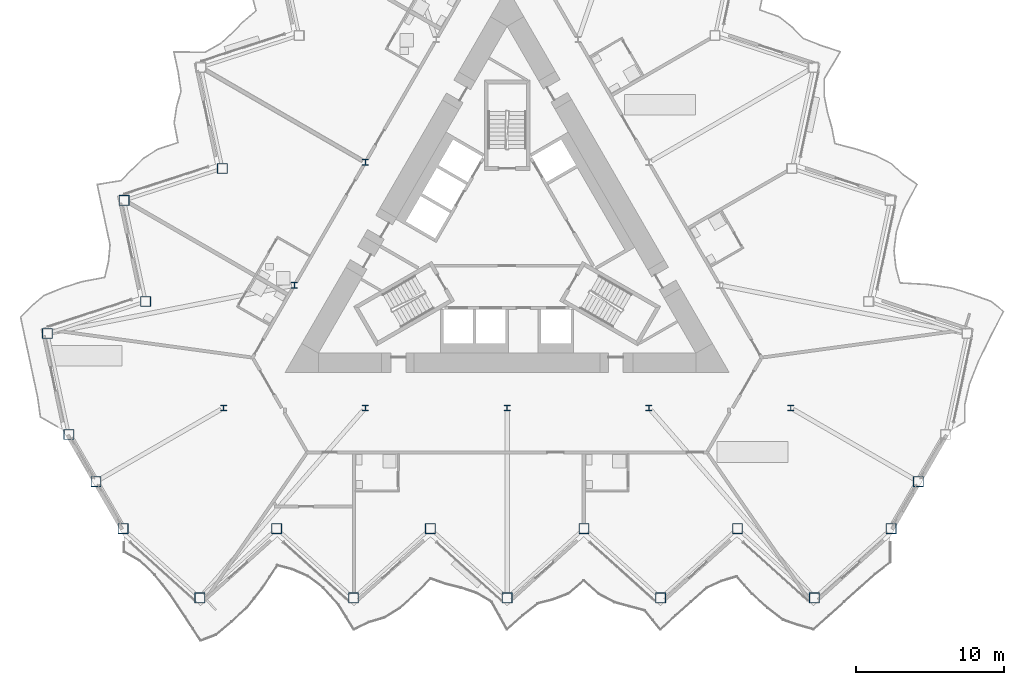
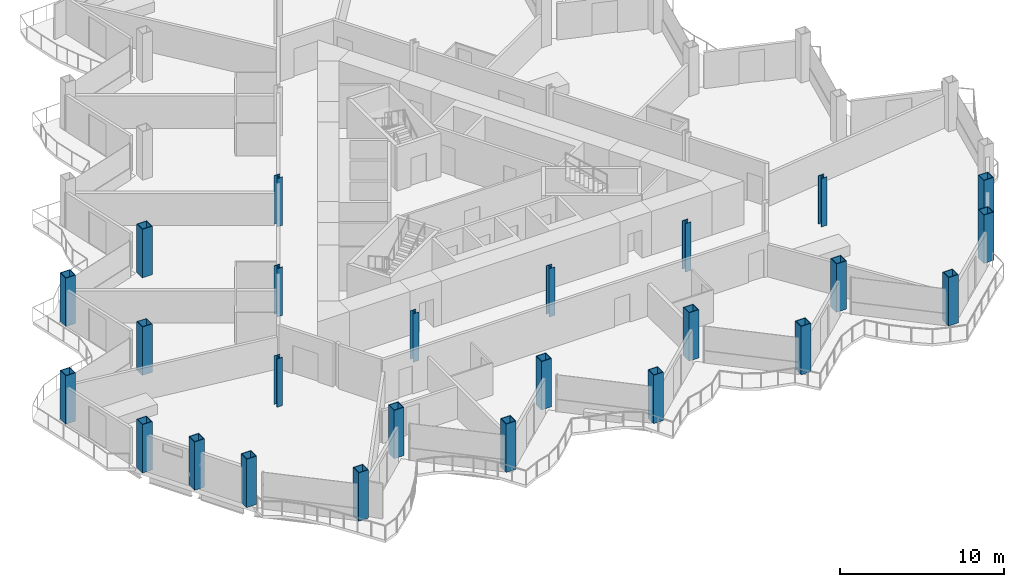
# One storey, part 1 of 23: 25 columns.
"""IFC4 building model written with IfcOpenShell, lengths in metres."""

from ifc_helpers import new_model, si_unit, direction, frame, origin, origin_2d, place, context, subcontext, project, spatial, hollow_rectangle, i_section, extrude, material, material_profile, profile_set, type_object, element, save


model = new_model("IFC4")

# Units and contexts
model_context = context("Model", 3, precision=1e-05, world=origin(), true_north=direction((0.0, 1.0)))
body_context = subcontext(model_context, "Body", "Model", "MODEL_VIEW")
ifc_project = project(units=[si_unit("LENGTHUNIT", "METRE"), si_unit("AREAUNIT", "SQUARE_METRE"), si_unit("VOLUMEUNIT", "CUBIC_METRE"), si_unit("PLANEANGLEUNIT", "RADIAN"), si_unit("MASSUNIT", "GRAM", prefix="KILO")], contexts=[model_context])

# Site, building, storey
site_placement = place(None, origin())
site = spatial("IfcSite", under=ifc_project, at=site_placement, CompositionType="ELEMENT")
building_placement = place(site_placement, origin())
building = spatial("IfcBuilding", under=site, at=building_placement, Name="Cormorant Prow Tower", CompositionType="ELEMENT")
storey_placement = place(building_placement, frame((0.0, 0.0, 241.800048828125)))
storey = spatial("IfcBuildingStorey", under=building, at=storey_placement, Name="L53", CompositionType="ELEMENT", Elevation=241.800048828125)

# Columns
ifc_material_1 = material(Name="Structural steel ASTM A572 Gr 50", Category="steel")
ifc_material_profile_1 = material_profile(ifc_material_1, hollow_rectangle(XDim=0.699951171875, YDim=0.699951171875, WallThickness=0.044921875, at=origin_2d()), Name="Box 700x700x45")
ifc_profile_set_1 = profile_set([ifc_material_profile_1], Name="Structural steel ASTM A572 Gr 50")
column_type_1 = type_object("IfcColumnType", Name="Perimeter box column 700x700x45", PredefinedType="COLUMN", material=ifc_profile_set_1)
for number, where, z_axis, x_axis, name in (
    (1, (-25.941162109375, -19.21533203125, 0.0), (0.0, 0.0, 1.0), (1.0, 0.0, 0.0), "Perimeter column C5 at S00 L53"),
    (2, (-20.7529296875, -23.886962890625, 0.0), (0.0, 0.0, 1.0), (1.0, 0.0, 0.0), "Perimeter column C5 at S01 L53"),
    (3, (-15.564697265625, -19.21533203125, 0.0), (0.0, 0.0, 1.0), (1.0, 0.0, 0.0), "Perimeter column C5 at S02 L53"),
    (4, (-10.37646484375, -23.886962890625, 0.0), (0.0, 0.0, 1.0), (1.0, 0.0, 0.0), "Perimeter column C5 at S03 L53"),
    (5, (-5.188232421875, -19.21533203125, 0.0), (0.0, 0.0, 1.0), (1.0, 0.0, 0.0), "Perimeter column C5 at S04 L53"),
    (6, (0.0, -23.886962890625, 0.0), (0.0, 0.0, 1.0), (1.0, 0.0, 0.0), "Perimeter column C5 at S05 L53"),
    (7, (5.188232421875, -19.21533203125, 0.0), (0.0, 0.0, 1.0), (1.0, 0.0, 0.0), "Perimeter column C5 at S06 L53"),
    (8, (10.37646484375, -23.886962890625, 0.0), (0.0, 0.0, 1.0), (1.0, 0.0, 0.0), "Perimeter column C5 at S07 L53"),
    (9, (15.564697265625, -19.21533203125, 0.0), (0.0, 0.0, 1.0), (1.0, 0.0, 0.0), "Perimeter column C5 at S08 L53"),
    (10, (20.7529296875, -23.886962890625, 0.0), (0.0, 0.0, 1.0), (1.0, 0.0, 0.0), "Perimeter column C5 at S09 L53"),
    (11, (25.941162109375, -19.21533203125, 0.0), (0.0, 0.0, 1.0), (1.0, 0.0, 0.0), "Perimeter column C5 at ESE00 L53"),
    (12, (27.7763671875, -16.03662109375, 0.0), (0.0, 0.0, 1.0), (1.0, 0.0, 0.0), "Perimeter column C5 at ESE01 L53"),
    (13, (-19.235107421875, 5.114501953125, 0.0), (0.0, 0.0, 1.0), (1.0, 0.0, 0.0), "Perimeter column C5 at WNW06 L53"),
    (14, (-25.875, 2.957275390625, 0.0), (0.0, 0.0, 1.0), (1.0, 0.0, 0.0), "Perimeter column C5 at WNW07 L53"),
    (15, (-24.42333984375, -3.871826171875, 0.0), (0.0, 0.0, 1.0), (1.0, 0.0, 0.0), "Perimeter column C5 at WNW08 L53"),
    (16, (-31.063232421875, -6.029052734375, 0.0), (0.0, 0.0, 1.0), (1.0, 0.0, 0.0), "Perimeter column C5 at WNW09 L53"),
    (17, (-29.611572265625, -12.858154296875, 0.0), (0.0, 0.0, 1.0), (1.0, 0.0, 0.0), "Perimeter column C5 at WSW00 L53"),
    (18, (-27.7763671875, -16.03662109375, 0.0), (0.0, 0.0, 1.0), (1.0, 0.0, 0.0), "Perimeter column C5 at WSW01 L53"),
):
    element("IfcColumn", number, at=place(storey_placement, frame(where, z_axis=z_axis, x_axis=x_axis)), inside=storey, type_object=column_type_1, Name=name, PredefinedType="COLUMN", context=body_context, shape_type="SweptSolid", body=[
        extrude(hollow_rectangle(XDim=0.699951171875, YDim=0.699951171875, WallThickness=0.044921875, at=origin_2d()), origin(), (0.0, 0.0, 1.0), 3.599853515625),
    ])
ifc_material_2 = material(Name="Structural steel ASTM A992 Gr 50", Category="steel")
ifc_material_profile_2 = material_profile(ifc_material_2, i_section(OverallWidth=0.39892578125, OverallDepth=0.393310546875, WebThickness=0.022705078125, FlangeThickness=0.03662109375, at=origin_2d()), Name="W14x193")
ifc_profile_set_2 = profile_set([ifc_material_profile_2], Name="Structural steel ASTM A992 Gr 50")
column_type_2 = type_object("IfcColumnType", Name="Ring column W14x193", PredefinedType="COLUMN", material=ifc_profile_set_2)
for number, where, z_axis, x_axis, name in (
    (19, (-9.578369140625, 5.530029296875, 0.0), (0.0, 0.0, 1.0), (1.0, 0.0, 0.0), "Ring column 3 L53"),
    (20, (-14.36767578125, -2.76513671875, 0.0), (0.0, 0.0, 1.0), (1.0, 0.0, 0.0), "Ring column 4 L53"),
    (21, (-19.156982421875, -11.060302734375, 0.0), (0.0, 0.0, 1.0), (1.0, 0.0, 0.0), "Ring column 5 L53"),
    (22, (-9.578369140625, -11.060302734375, 0.0), (0.0, 0.0, 1.0), (1.0, 0.0, 0.0), "Ring column 6 L53"),
    (23, (0.0, -11.060302734375, 0.0), (0.0, 0.0, 1.0), (1.0, 0.0, 0.0), "Ring column 7 L53"),
    (24, (9.578369140625, -11.060302734375, 0.0), (0.0, 0.0, 1.0), (1.0, 0.0, 0.0), "Ring column 8 L53"),
    (25, (19.156982421875, -11.060302734375, 0.0), (0.0, 0.0, 1.0), (1.0, 0.0, 0.0), "Ring column 9 L53"),
):
    element("IfcColumn", number, at=place(storey_placement, frame(where, z_axis=z_axis, x_axis=x_axis)), inside=storey, type_object=column_type_2, Name=name, PredefinedType="COLUMN", context=body_context, shape_type="SweptSolid", body=[
        extrude(i_section(OverallWidth=0.39892578125, OverallDepth=0.393310546875, WebThickness=0.022705078125, FlangeThickness=0.03662109375, at=origin_2d()), origin(), (0.0, 0.0, 1.0), 3.599853515625),
    ])

save(model, "model.ifc")
